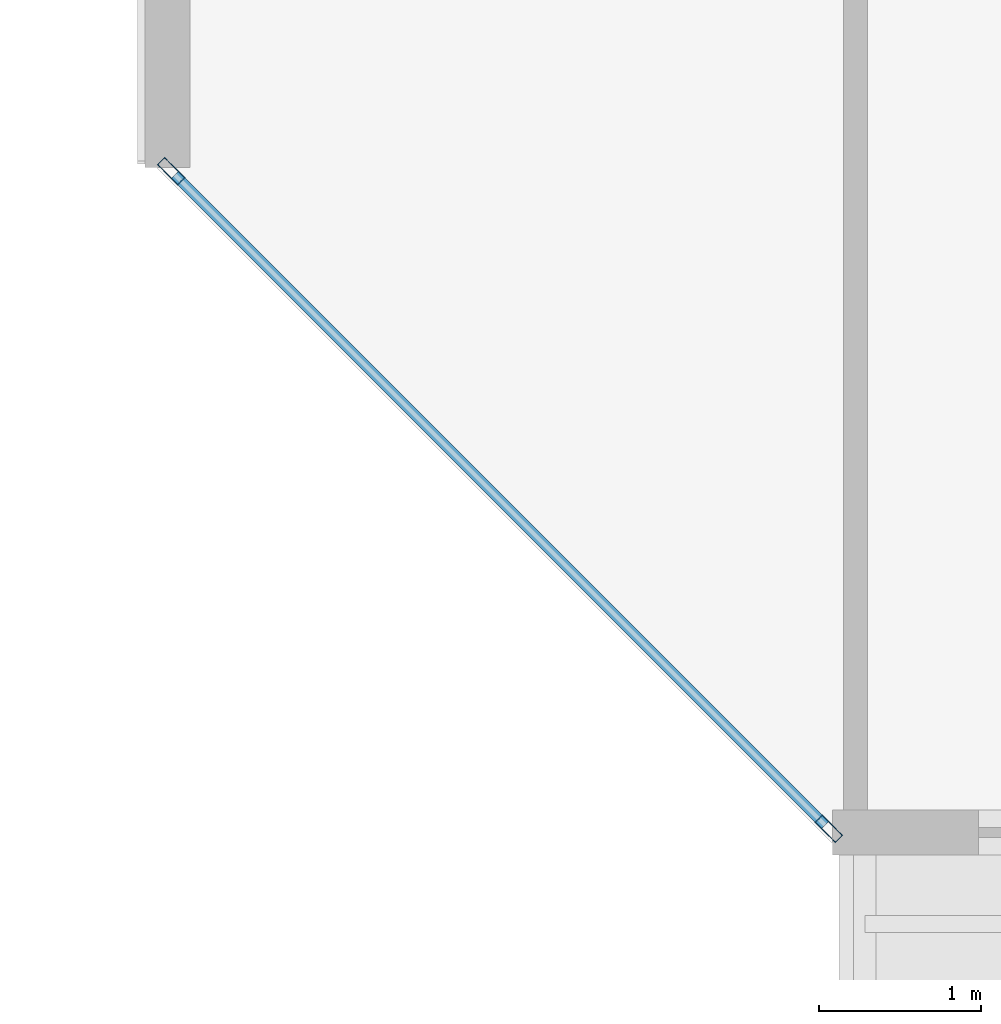
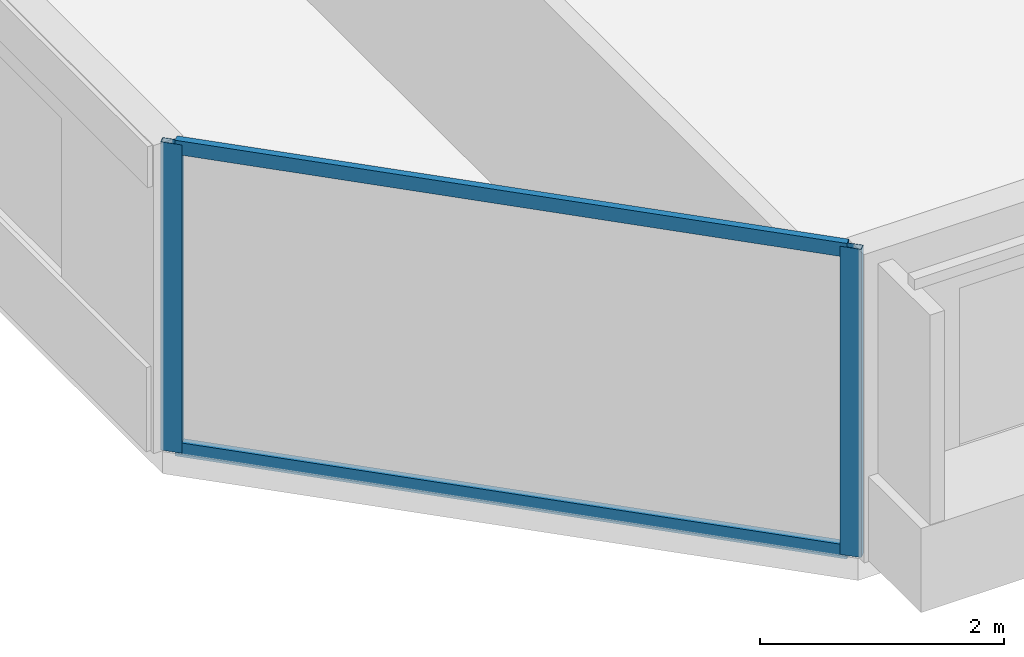
# One storey, part 2 of 33: 4 members, 1 element without a shape of its own.
"""IFC4 building model written with IfcOpenShell, lengths in metres."""

from ifc_helpers import new_model, si_unit, direction, frame, origin, origin_2d, place, context, subcontext, project, spatial, hollow_rectangle, extrude, material, layer, layer_set, material_profile, profile_set, type_object, element, aggregate, save


model = new_model("IFC4")

# Units and contexts
model_context = context("Model", 3, precision=1e-05, world=origin(), true_north=direction((0.0, 1.0)))
body_context = subcontext(model_context, "Body", "Model", "MODEL_VIEW")
ifc_project = project(units=[si_unit("LENGTHUNIT", "METRE"), si_unit("AREAUNIT", "SQUARE_METRE"), si_unit("VOLUMEUNIT", "CUBIC_METRE"), si_unit("PLANEANGLEUNIT", "RADIAN"), si_unit("MASSUNIT", "GRAM", prefix="KILO")], contexts=[model_context])

# Site, building, storey
site_placement = place(None, origin())
site = spatial("IfcSite", under=ifc_project, at=site_placement, CompositionType="ELEMENT")
building_placement = place(site_placement, origin())
building = spatial("IfcBuilding", under=site, at=building_placement, Name="Tanjung Sevakor Pilgrim Tower", CompositionType="ELEMENT")
storey_placement = place(building_placement, frame((0.0, 0.0, 52.139892578125)))
storey = spatial("IfcBuildingStorey", under=building, at=storey_placement, Name="L14", CompositionType="ELEMENT", Elevation=52.139892578125)

# Curtain wall, members
ifc_material_1 = material(Name="Aluminium 6063-T6 and Low-E Glass", Category="aluminium")
ifc_layer = layer(ifc_material_1, 0.179931640625)
ifc_layer_set = layer_set([ifc_layer], Name="CW-SYS-CHAM")
curtain_wall_type = type_object("IfcCurtainWallType", Name="CW-SYS-CHAM", PredefinedType="NOTDEFINED", material=ifc_layer_set)
curtain_wall_placement = place(storey_placement, origin())
curtain_wall = element("IfcCurtainWall", 1, at=curtain_wall_placement, inside=storey, type_object=curtain_wall_type, Name="L14 Curtain Wall CW-CHM-L14-MAIN-15", PredefinedType="NOTDEFINED")
ifc_material_2 = material(Name="Aluminium 6063-T6", Category="aluminium")
ifc_material_profile_1 = material_profile(ifc_material_2, hollow_rectangle(XDim=0.06494140625, YDim=0.179931640625, WallThickness=0.00390625, at=origin_2d()))
ifc_profile_set_1 = profile_set([ifc_material_profile_1], Name="Aluminium 6063-T6")
member_type_1 = type_object("IfcMemberType", Name="TYPE-CWM-1", PredefinedType="MULLION", material=ifc_profile_set_1)
member_1_placement = place(storey_placement, frame((16.762939453125, 11.8349609375, 0.0), z_axis=(0.0, 0.0, 1.0), x_axis=(0.707106781187, 0.707106781187, 0.0)))
member_1 = element("IfcMember", 2, at=member_1_placement, type_object=member_type_1, Name="CW-CHM mullion 1", PredefinedType="MULLION", context=body_context, shape_type="SweptSolid", body=[
    extrude(hollow_rectangle(XDim=0.06494140625, YDim=0.179931640625, WallThickness=0.00390625, at=origin_2d()), origin(), (0.0, 0.0, 1.0), 3.080078125),
])
member_2_placement = place(storey_placement, frame((20.8349609375, 7.762939453125, 0.0), z_axis=(0.0, 0.0, 1.0), x_axis=(0.707106781187, 0.707106781187, 0.0)))
member_2 = element("IfcMember", 3, at=member_2_placement, type_object=member_type_1, Name="CW-CHM mullion 2", PredefinedType="MULLION", context=body_context, shape_type="SweptSolid", body=[
    extrude(hollow_rectangle(XDim=0.06494140625, YDim=0.179931640625, WallThickness=0.00390625, at=origin_2d()), origin(), (0.0, 0.0, 1.0), 3.080078125),
])
ifc_material_3 = material(Name="Aluminium 6063-T6", Category="aluminium")
ifc_material_profile_2 = material_profile(ifc_material_3, hollow_rectangle(XDim=0.06494140625, YDim=0.139892578125, WallThickness=0.00390625, at=origin_2d()))
ifc_profile_set_2 = profile_set([ifc_material_profile_2], Name="Aluminium 6063-T6")
member_type_2 = type_object("IfcMemberType", Name="TYPE-CWT-1", PredefinedType="USERDEFINED", material=ifc_profile_set_2)
member_3_placement = place(storey_placement, frame((16.785888671875, 11.81201171875, 0.03271484375), z_axis=(0.707106781187, -0.707106781187, 0.0), x_axis=(0.707106781187, 0.707106781187, 0.0)))
member_3 = element("IfcMember", 4, at=member_3_placement, type_object=member_type_2, Name="CW-CHM transom 1.1", ObjectType="TRANSOM", PredefinedType="USERDEFINED", context=body_context, shape_type="SweptSolid", body=[
    extrude(hollow_rectangle(XDim=0.06494140625, YDim=0.139892578125, WallThickness=0.00390625, at=origin_2d()), origin(), (0.0, 0.0, 1.0), 5.69384765625),
])
member_4_placement = place(storey_placement, frame((16.785888671875, 11.81201171875, 3.047607421875), z_axis=(0.707106781187, -0.707106781187, 0.0), x_axis=(0.707106781187, 0.707106781187, 0.0)))
member_4 = element("IfcMember", 5, at=member_4_placement, type_object=member_type_2, Name="CW-CHM transom 1.2", ObjectType="TRANSOM", PredefinedType="USERDEFINED", context=body_context, shape_type="SweptSolid", body=[
    extrude(hollow_rectangle(XDim=0.06494140625, YDim=0.139892578125, WallThickness=0.00390625, at=origin_2d()), origin(), (0.0, 0.0, 1.0), 5.69384765625),
])
aggregate(curtain_wall, [member_1, member_2, member_3, member_4])

save(model, "model.ifc")
